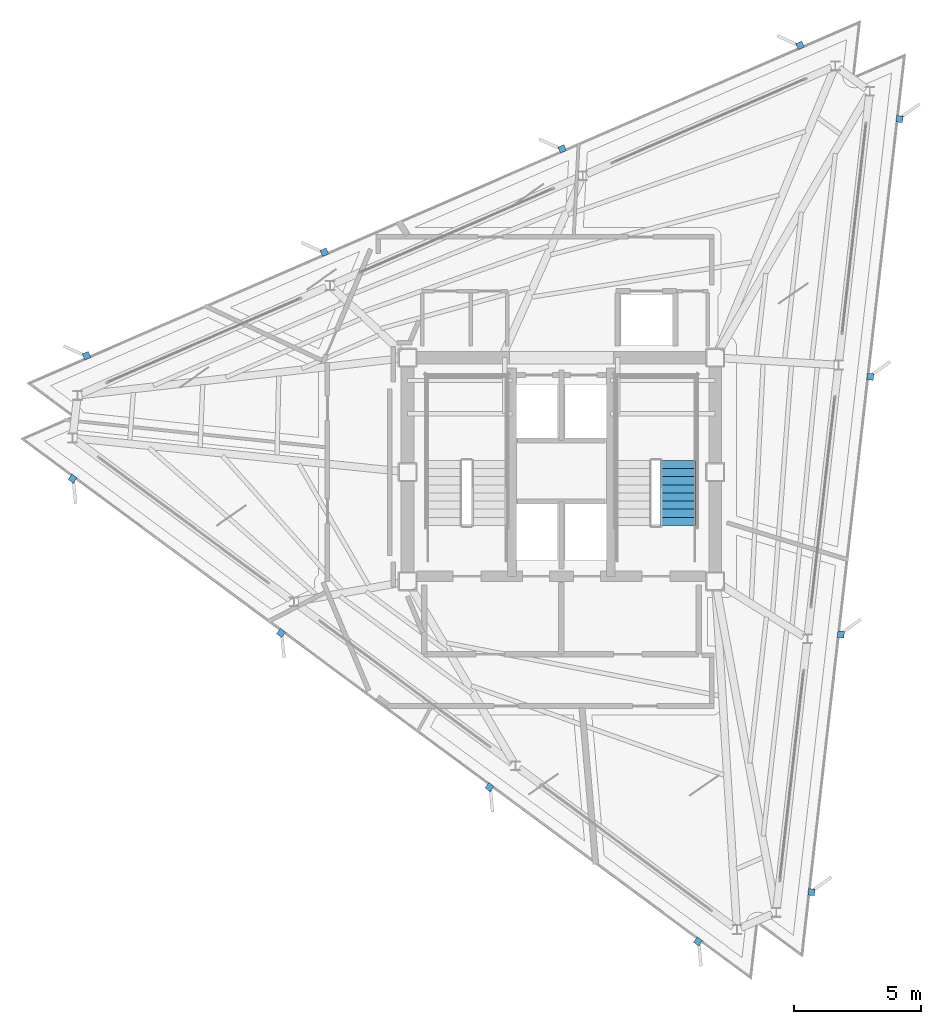
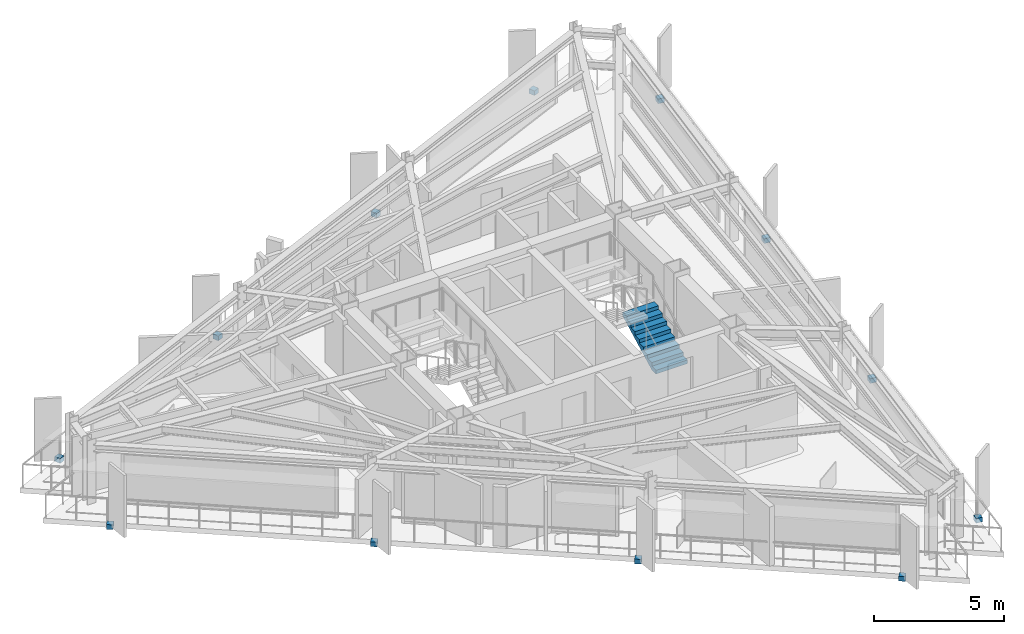
# One storey, part 7 of 10: 12 discrete accessories, 1 stair flight, 1 element without a shape of its own.
"""IFC4 building model written with IfcOpenShell, lengths in metres."""

from ifc_helpers import new_model, si_unit, direction, frame, origin, origin_2d, place, context, subcontext, project, spatial, polyline, rectangle, outline, extrude, material, layer, layer_set, type_object, element, aggregate, save


model = new_model("IFC4")

# Units and contexts
model_context = context("Model", 3, precision=1e-05, world=origin(), true_north=direction((0.0, 1.0)))
body_context = subcontext(model_context, "Body", "Model", "MODEL_VIEW")
ifc_project = project(units=[si_unit("LENGTHUNIT", "METRE"), si_unit("AREAUNIT", "SQUARE_METRE"), si_unit("VOLUMEUNIT", "CUBIC_METRE"), si_unit("PLANEANGLEUNIT", "RADIAN"), si_unit("MASSUNIT", "GRAM", prefix="KILO")], contexts=[model_context])

# Site, building, storey
site_placement = place(None, origin())
site = spatial("IfcSite", under=ifc_project, at=site_placement, CompositionType="ELEMENT")
building_placement = place(site_placement, origin())
building = spatial("IfcBuilding", under=site, at=building_placement, Name="Rocaltana Carrier Exchange", CompositionType="ELEMENT")
storey_placement = place(building_placement, frame((0.0, 0.0, 227.0400390625)))
storey = spatial("IfcBuildingStorey", under=building, at=storey_placement, Name="L72", CompositionType="ELEMENT", Elevation=227.0400390625)

# Stair, stair flight
ifc_material_1 = material(Name="Precast concrete C45/55", Category="concrete")
stair_type = type_object("IfcStairType", Name="Standard Dog-Leg Stair 160", PredefinedType="HALF_TURN_STAIR", material=ifc_material_1)
stair_placement = place(storey_placement, origin())
stair = element("IfcStair", 1, at=stair_placement, inside=storey, type_object=stair_type, Name="L72 Core East Exit Stair ST-2", PredefinedType="HALF_TURN_STAIR")
ifc_material_2 = material(Name="Precast concrete C45/55", Category="concrete")
stair_flight_type = type_object("IfcStairFlightType", Name="Precast Stair Flight 160", PredefinedType="STRAIGHT", material=ifc_material_2)
stair_flight_placement = place(storey_placement, frame((4.60009765625, -2.10009765625, 0.0), z_axis=(0.0, 0.0, 1.0), x_axis=(0.0, 1.0, 0.0)))
stair_flight = element("IfcStairFlight", 2, at=stair_flight_placement, type_object=stair_flight_type, Name="ST-2 flight 1", NumberOfRisers=9, NumberOfTreads=8, PredefinedType="STRAIGHT", RiserHeight=0.168888889, TreadLength=0.32, context=body_context, shape_type="SweptSolid", body=[
    extrude(outline(polyline([(0.0, 0.0), (0.0, 0.1689453125), (0.320068359375, 0.1689453125), (0.320068359375, 0.337890625), (0.639892578125, 0.337890625), (0.639892578125, 0.506591796875), (0.9599609375, 0.506591796875), (0.9599609375, 0.675537109375), (1.280029296875, 0.675537109375), (1.280029296875, 0.844482421875), (1.60009765625, 0.844482421875), (1.60009765625, 1.013427734375), (1.919921875, 1.013427734375), (1.919921875, 1.18212890625), (2.239990234375, 1.18212890625), (2.239990234375, 1.35107421875), (2.56005859375, 1.35107421875), (2.56005859375, 1.52001953125), (2.56005859375, 1.17041015625), (0.342529296875, 0.0), (0.0, 0.0)])), frame((0.0, 0.699951171875, 0.0), z_axis=(0.0, -1.0, 0.0), x_axis=(1.0, 0.0, 0.0)), (0.0, 0.0, 1.0), 1.39990234375),
])
aggregate(stair, [stair_flight])

# Discrete accessories
ifc_material_3 = material(Name="Brushed Architectural Stainless Metal", Category="steel")
ifc_layer = layer(ifc_material_3, 0.219970703125)
ifc_layer_set = layer_set([ifc_layer], Name="Brushed Architectural Stainless Metal")
discrete_accessory_type = type_object("IfcDiscreteAccessoryType", Name="Stainless Fin Slab-Edge Bracket 260x260x220", PredefinedType="BRACKET", material=ifc_layer_set)
for number, where, z_axis, x_axis, name in (
    (3, (9.837890625, -16.52001953125, -0.2099609375), (0.0, 0.0, 1.0), (0.113203213768, 0.993571855677, 0.0), "L72 Sandstone Fin Edge Bracket F1-01"),
    (4, (10.992431640625, -6.385498046875, -0.2099609375), (0.0, 0.0, 1.0), (0.113203213768, 0.993571855677, 0.0), "L72 Sandstone Fin Edge Bracket F1-02"),
    (5, (12.147216796875, 3.7490234375, -0.2099609375), (0.0, 0.0, 1.0), (0.113203213768, 0.993571855677, 0.0), "L72 Sandstone Fin Edge Bracket F1-03"),
    (6, (13.302001953125, 13.88330078125, -0.2099609375), (0.0, 0.0, 1.0), (0.113203213768, 0.993571855677, 0.0), "L72 Sandstone Fin Edge Bracket F1-04"),
    (7, (9.3876953125, 16.77978515625, -0.2099609375), (0.0, 0.0, 1.0), (-0.917060074385, -0.398749068925, 0.0), "L72 Sandstone Fin Edge Bracket F2-01"),
    (8, (0.03369140625, 12.71240234375, -0.2099609375), (0.0, 0.0, 1.0), (-0.917060074385, -0.398749068925, 0.0), "L72 Sandstone Fin Edge Bracket F2-02"),
    (9, (-9.3203125, 8.645263671875, -0.2099609375), (0.0, 0.0, 1.0), (-0.917060074385, -0.398749068925, 0.0), "L72 Sandstone Fin Edge Bracket F2-03"),
    (10, (-18.67431640625, 4.578125, -0.2099609375), (0.0, 0.0, 1.0), (-0.917060074385, -0.398749068925, 0.0), "L72 Sandstone Fin Edge Bracket F2-04"),
    (11, (-19.2255859375, -0.260009765625, -0.2099609375), (0.0, 0.0, 1.0), (0.803856860617, -0.594822786751, 0.0), "L72 Sandstone Fin Edge Bracket F3-01"),
    (12, (-11.026123046875, -6.3271484375, -0.2099609375), (0.0, 0.0, 1.0), (0.803856860617, -0.594822786751, 0.0), "L72 Sandstone Fin Edge Bracket F3-02"),
    (13, (-2.826904296875, -12.394287109375, -0.2099609375), (0.0, 0.0, 1.0), (0.803856860617, -0.594822786751, 0.0), "L72 Sandstone Fin Edge Bracket F3-03"),
    (14, (5.37255859375, -18.46142578125, -0.2099609375), (0.0, 0.0, 1.0), (0.803856860617, -0.594822786751, 0.0), "L72 Sandstone Fin Edge Bracket F3-04"),
):
    element("IfcDiscreteAccessory", number, at=place(storey_placement, frame(where, z_axis=z_axis, x_axis=x_axis)), inside=storey, type_object=discrete_accessory_type, Name=name, PredefinedType="BRACKET", context=body_context, shape_type="SweptSolid", body=[
        extrude(rectangle(XDim=0.260009765625, YDim=0.260009765625, at=origin_2d()), origin(), (0.0, 0.0, 1.0), 0.219970703125),
    ])

save(model, "model.ifc")
